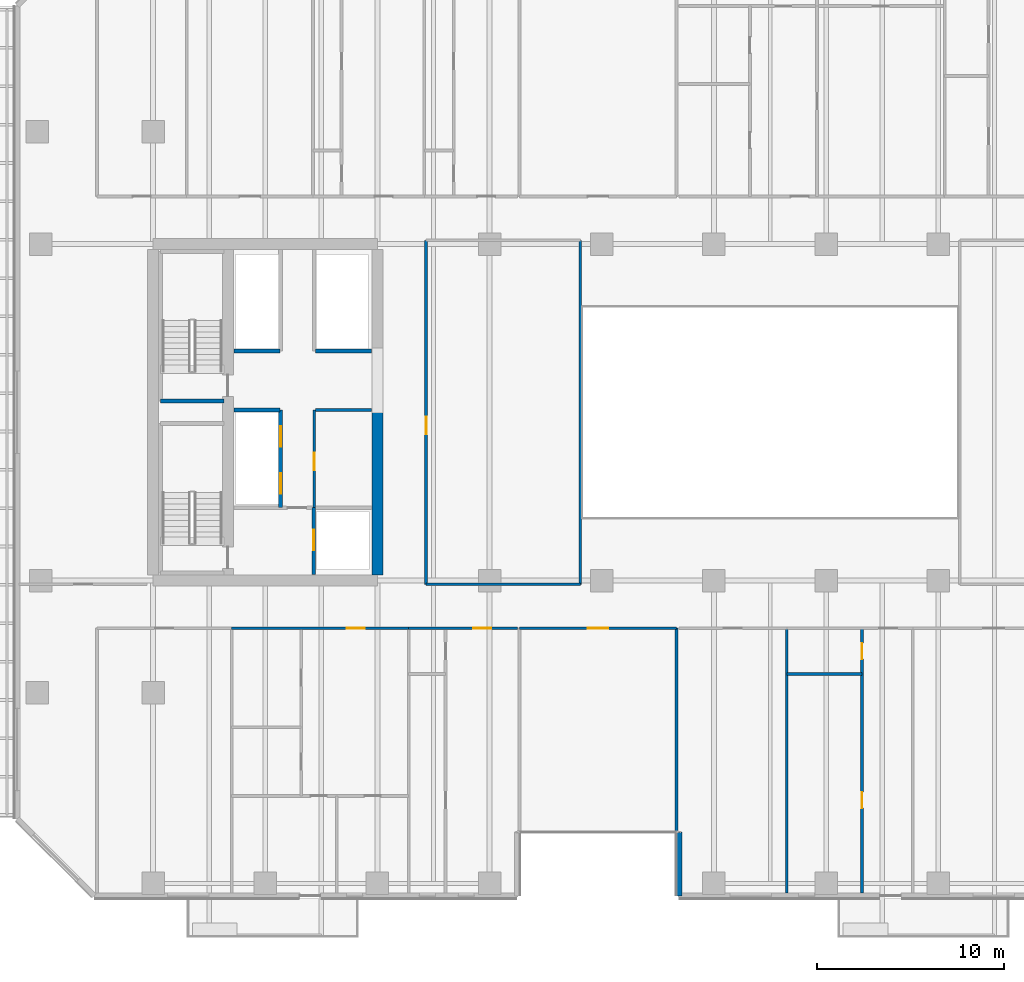
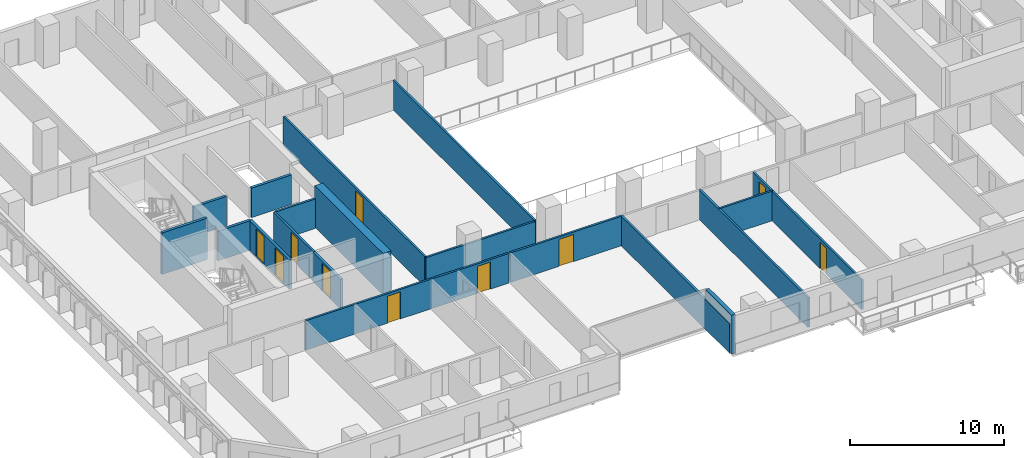
# One storey, part 11 of 26: 20 walls, 10 doors, 10 openings.
"""IFC4 building model written with IfcOpenShell, lengths in metres."""

from ifc_helpers import new_model, si_unit, direction, frame, frame_2d, origin, place, context, subcontext, project, spatial, rectangle, extrude, material, layer, layer_set, type_object, element, fill, save


model = new_model("IFC4")

# Units and contexts
model_context = context("Model", 3, precision=1e-05, world=origin(), true_north=direction((0.0, 1.0)))
body_context = subcontext(model_context, "Body", "Model", "MODEL_VIEW")
ifc_project = project(units=[si_unit("LENGTHUNIT", "METRE"), si_unit("AREAUNIT", "SQUARE_METRE"), si_unit("VOLUMEUNIT", "CUBIC_METRE"), si_unit("PLANEANGLEUNIT", "RADIAN"), si_unit("MASSUNIT", "GRAM", prefix="KILO")], contexts=[model_context])

# Site, building, storey
site_placement = place(None, origin())
site = spatial("IfcSite", under=ifc_project, at=site_placement, CompositionType="ELEMENT")
building_placement = place(site_placement, origin())
building = spatial("IfcBuilding", under=site, at=building_placement, Name="Tanjung Sevakor Pilgrim Tower", CompositionType="ELEMENT")
storey_placement = place(building_placement, frame((0.0, 0.0, 48.840087890625)))
storey = spatial("IfcBuildingStorey", under=building, at=storey_placement, Name="L13", CompositionType="ELEMENT", Elevation=48.840087890625)

# Walls
ifc_material_1 = material(Name="Concrete C60/75", Category="concrete")
ifc_layer_1 = layer(ifc_material_1, 0.60009765625)
ifc_layer_set_1 = layer_set([ifc_layer_1], Name="WALL-CW-600")
wall_type_1 = type_object("IfcWallType", Name="WALL-CW-600", PredefinedType="SHEAR", material=ifc_layer_set_1)
wall_1_placement = place(storey_placement, frame((36.0, 24.89990234375, 0.0), z_axis=(0.0, 0.0, 1.0), x_axis=(0.0, 1.0, 0.0)))
element("IfcWall", 1, at=wall_1_placement, inside=storey, type_object=wall_type_1, Name="L13 W Core Inner Shear Wall South", PredefinedType="SHEAR", context=body_context, shape_type="SweptSolid", body=[
    extrude(rectangle(XDim=8.900146484375, YDim=0.60009765625, at=frame_2d((4.4501953125, 0.0))), origin(), (0.0, 0.0, 1.0), 3.2998046875),
])
ifc_material_2 = material(Name="Concrete C40/50", Category="concrete")
ifc_layer_2 = layer(ifc_material_2, 0.14990234375)
ifc_layer_set_2 = layer_set([ifc_layer_2], Name="WT-COMP-150")
wall_type_2 = type_object("IfcWallType", Name="WT-COMP-150", PredefinedType="SOLIDWALL", material=ifc_layer_set_2)
wall_2_placement = place(storey_placement, frame((32.679931640625, 33.719970703125, 0.0), z_axis=(0.0, 0.0, 1.0), x_axis=(1.0, 0.0, 0.0)))
element("IfcWall", 2, at=wall_2_placement, inside=storey, type_object=wall_type_2, Name="L13 Partition IW-L13-005", PredefinedType="SOLIDWALL", context=body_context, shape_type="SweptSolid", body=[
    extrude(rectangle(XDim=3.0, YDim=0.14990234375, at=frame_2d((1.5, 0.0))), origin(), (0.0, 0.0, 1.0), 2.35009765625),
])

# Wall, opening, door
wall_3_placement = place(storey_placement, frame((32.6201171875, 28.5, 0.0), z_axis=(0.0, 0.0, 1.0), x_axis=(0.0, 1.0, 0.0)))
wall_3 = element("IfcWall", 3, at=wall_3_placement, inside=storey, type_object=wall_type_2, Name="L13 Partition IW-L13-006", PredefinedType="SOLIDWALL", context=body_context, shape_type="SweptSolid", body=[
    extrude(rectangle(XDim=5.219970703125, YDim=0.14990234375, at=frame_2d((2.60986328125, 0.0))), origin(), (0.0, 0.0, 1.0), 2.35009765625),
])
opening_1_placement = place(wall_3_placement, frame((2.0, 0.0, 0.0)))
opening_1 = element("IfcOpeningElement", 4, at=opening_1_placement, cuts=wall_3, Name="Opening ID-FD2", PredefinedType="OPENING", context=body_context, shape_type="SweptSolid", body=[
    extrude(rectangle(XDim=0.949951171875, YDim=2.14990234375, at=frame_2d((0.47509765625, 1.074951171875))), frame((0.0, 0.0849609375, 0.0), z_axis=(0.0, -1.0, 0.0), x_axis=(1.0, 0.0, 0.0)), (0.0, 0.0, 1.0), 0.169921875),
])
ifc_material_3 = material(Name="Fire-Rated Timber", Category="wood")
door_type_1 = type_object("IfcDoorType", Name="DT-FIRE-950", OperationType="NOTDEFINED", PredefinedType="DOOR", material=ifc_material_3)
door_1_placement = place(opening_1_placement, origin())
door_1 = element("IfcDoor", 5, at=door_1_placement, inside=storey, type_object=door_type_1, Name="L13 Accessible WC Door", OperationType="SINGLE_SWING_LEFT", OverallHeight=2.14990234375, OverallWidth=0.949951171875, PredefinedType="DOOR", context=body_context, shape_type="SweptSolid", body=[
    extrude(rectangle(XDim=0.949951171875, YDim=2.14990234375, at=frame_2d((0.47509765625, 1.074951171875))), frame((0.0, 0.02490234375, 0.0), z_axis=(0.0, -1.0, 0.0), x_axis=(1.0, 0.0, 0.0)), (0.0, 0.0, 1.0), 0.050048828125),
])
fill(opening_1, door_1)

# Wall
wall_4_placement = place(storey_placement, frame((38.60009765625, 24.39990234375, 0.0), z_axis=(0.0, 0.0, 1.0), x_axis=(1.0, 0.0, 0.0)))
element("IfcWall", 6, at=wall_4_placement, inside=storey, type_object=wall_type_2, Name="L13 Partition IW-L13-021", PredefinedType="SOLIDWALL", context=body_context, shape_type="SweptSolid", body=[
    extrude(rectangle(XDim=8.25, YDim=0.14990234375, at=frame_2d((4.125, 0.0))), origin(), (0.0, 0.0, 1.0), 2.295166015625),
])

# Wall, opening, door
wall_5_placement = place(storey_placement, frame((38.60009765625, 24.39990234375, 0.0), z_axis=(0.0, 0.0, 1.0), x_axis=(0.0, 1.0, 0.0)))
wall_5 = element("IfcWall", 7, at=wall_5_placement, inside=storey, type_object=wall_type_2, Name="L13 Partition IW-L13-023", PredefinedType="SOLIDWALL", context=body_context, shape_type="SweptSolid", body=[
    extrude(rectangle(XDim=18.400146484375, YDim=0.14990234375, at=frame_2d((9.2001953125, 0.0))), origin(), (0.0, 0.0, 1.0), 2.35009765625),
])
opening_2_placement = place(wall_5_placement, frame((8.02490234375, 0.0, 0.0)))
opening_2 = element("IfcOpeningElement", 8, at=opening_2_placement, cuts=wall_5, Name="Opening ID-RM1", PredefinedType="OPENING", context=body_context, shape_type="SweptSolid", body=[
    extrude(rectangle(XDim=0.949951171875, YDim=2.14990234375, at=frame_2d((0.47509765625, 1.074951171875))), frame((0.0, 0.0849609375, 0.0), z_axis=(0.0, -1.0, 0.0), x_axis=(1.0, 0.0, 0.0)), (0.0, 0.0, 1.0), 0.169921875),
])
ifc_material_4 = material(Name="Hardwood Timber", Category="wood")
door_type_2 = type_object("IfcDoorType", Name="DT-INT-950", OperationType="NOTDEFINED", PredefinedType="DOOR", material=ifc_material_4)
door_2_placement = place(opening_2_placement, origin())
door_2 = element("IfcDoor", 9, at=door_2_placement, inside=storey, type_object=door_type_2, Name="L13 Central West Room Door", OperationType="SINGLE_SWING_LEFT", OverallHeight=2.14990234375, OverallWidth=0.949951171875, PredefinedType="DOOR", context=body_context, shape_type="SweptSolid", body=[
    extrude(rectangle(XDim=0.949951171875, YDim=2.14990234375, at=frame_2d((0.47509765625, 1.074951171875))), frame((0.0, 0.02490234375, 0.0), z_axis=(0.0, -1.0, 0.0), x_axis=(1.0, 0.0, 0.0)), (0.0, 0.0, 1.0), 0.050048828125),
])
fill(opening_2, door_2)

# Wall
wall_6_placement = place(storey_placement, frame((46.85009765625, 24.39990234375, 0.0), z_axis=(0.0, 0.0, 1.0), x_axis=(0.0, 1.0, 0.0)))
element("IfcWall", 10, at=wall_6_placement, inside=storey, type_object=wall_type_2, Name="L13 Partition IW-L13-024", PredefinedType="SOLIDWALL", context=body_context, shape_type="SweptSolid", body=[
    extrude(rectangle(XDim=18.400146484375, YDim=0.14990234375, at=frame_2d((9.2001953125, 0.0))), origin(), (0.0, 0.0, 1.0), 2.35009765625),
])

# Wall, opening, door
wall_7_placement = place(storey_placement, frame((43.60009765625, 22.050048828125, 0.0), z_axis=(0.0, 0.0, 1.0), x_axis=(1.0, 0.0, 0.0)))
wall_7 = element("IfcWall", 11, at=wall_7_placement, inside=storey, type_object=wall_type_2, Name="L13 Partition IW-L13-036", PredefinedType="SOLIDWALL", context=body_context, shape_type="SweptSolid", body=[
    extrude(rectangle(XDim=8.39990234375, YDim=0.14990234375, at=frame_2d((4.199951171875, 0.0))), origin(), (0.0, 0.0, 1.0), 2.35009765625),
])
opening_3_placement = place(wall_7_placement, frame((3.64990234375, 0.0, 0.0)))
opening_3 = element("IfcOpeningElement", 12, at=opening_3_placement, cuts=wall_7, Name="Opening ID-RM2", PredefinedType="OPENING", context=body_context, shape_type="SweptSolid", body=[
    extrude(rectangle(XDim=1.10009765625, YDim=2.14990234375, at=frame_2d((0.550048828125, 1.074951171875))), frame((0.0, 0.0849609375, 0.0), z_axis=(0.0, -1.0, 0.0), x_axis=(1.0, 0.0, 0.0)), (0.0, 0.0, 1.0), 0.169921875),
])
ifc_material_5 = material(Name="Hardwood Timber", Category="wood")
door_type_3 = type_object("IfcDoorType", Name="DT-INT-1100", OperationType="NOTDEFINED", PredefinedType="DOOR", material=ifc_material_5)
door_3_placement = place(opening_3_placement, origin())
door_3 = element("IfcDoor", 13, at=door_3_placement, inside=storey, type_object=door_type_3, Name="L13 South Cleft Communal Lounge Door", OperationType="SINGLE_SWING_RIGHT", OverallHeight=2.14990234375, OverallWidth=1.10009765625, PredefinedType="DOOR", context=body_context, shape_type="SweptSolid", body=[
    extrude(rectangle(XDim=1.10009765625, YDim=2.14990234375, at=frame_2d((0.550048828125, 1.074951171875))), frame((0.0, 0.02490234375, 0.0), z_axis=(0.0, -1.0, 0.0), x_axis=(1.0, 0.0, 0.0)), (0.0, 0.0, 1.0), 0.050048828125),
])
fill(opening_3, door_3)

# Wall
wall_8_placement = place(storey_placement, frame((52.0, 7.8798828125, 0.0), z_axis=(0.0, 0.0, 1.0), x_axis=(0.0, 1.0, 0.0)))
element("IfcWall", 14, at=wall_8_placement, inside=storey, type_object=wall_type_2, Name="L13 Partition IW-L13-038", PredefinedType="SOLIDWALL", context=body_context, shape_type="SweptSolid", body=[
    extrude(rectangle(XDim=14.170166015625, YDim=0.14990234375, at=frame_2d((7.0849609375, 0.0))), origin(), (0.0, 0.0, 1.0), 2.35009765625),
])

# Wall, opening, door
wall_9_placement = place(storey_placement, frame((28.20654296875, 22.050048828125, 0.0), z_axis=(0.0, 0.0, 1.0), x_axis=(1.0, 0.0, 0.0)))
wall_9 = element("IfcWall", 15, at=wall_9_placement, inside=storey, type_object=wall_type_2, Name="L13 Partition IW-L13-050", PredefinedType="SOLIDWALL", context=body_context, shape_type="SweptSolid", body=[
    extrude(rectangle(XDim=9.46533203125, YDim=0.14990234375, at=frame_2d((4.732666015625, 0.0))), origin(), (0.0, 0.0, 1.0), 2.35009765625),
])
opening_4_placement = place(wall_9_placement, frame((6.154296875, 0.0, 0.0)))
opening_4 = element("IfcOpeningElement", 16, at=opening_4_placement, cuts=wall_9, Name="Opening ID-FD2", PredefinedType="OPENING", context=body_context, shape_type="SweptSolid", body=[
    extrude(rectangle(XDim=0.949951171875, YDim=2.14990234375, at=frame_2d((0.47509765625, 1.074951171875))), frame((0.0, 0.0849609375, 0.0), z_axis=(0.0, -1.0, 0.0), x_axis=(1.0, 0.0, 0.0)), (0.0, 0.0, 1.0), 0.169921875),
])
door_4_placement = place(opening_4_placement, origin())
door_4 = element("IfcDoor", 17, at=door_4_placement, inside=storey, type_object=door_type_1, Name="Suite Entrance", OperationType="SINGLE_SWING_LEFT", OverallHeight=2.14990234375, OverallWidth=0.949951171875, PredefinedType="DOOR", context=body_context, shape_type="SweptSolid", body=[
    extrude(rectangle(XDim=0.949951171875, YDim=2.14990234375, at=frame_2d((0.47509765625, 1.074951171875))), frame((0.0, 0.02490234375, 0.0), z_axis=(0.0, -1.0, 0.0), x_axis=(1.0, 0.0, 0.0)), (0.0, 0.0, 1.0), 0.050048828125),
])
fill(opening_4, door_4)

wall_10_placement = place(storey_placement, frame((37.671875, 22.050048828125, 0.0), z_axis=(0.0, 0.0, 1.0), x_axis=(1.0, 0.0, 0.0)))
wall_10 = element("IfcWall", 18, at=wall_10_placement, inside=storey, type_object=wall_type_2, Name="L13 Partition IW-L13-053", PredefinedType="SOLIDWALL", context=body_context, shape_type="SweptSolid", body=[
    extrude(rectangle(XDim=5.80810546875, YDim=0.14990234375, at=frame_2d((2.904052734375, 0.0))), origin(), (0.0, 0.0, 1.0), 2.35009765625),
])
opening_5_placement = place(wall_10_placement, frame((3.45654296875, 0.0, 0.0)))
opening_5 = element("IfcOpeningElement", 19, at=opening_5_placement, cuts=wall_10, Name="Opening ID-FD2", PredefinedType="OPENING", context=body_context, shape_type="SweptSolid", body=[
    extrude(rectangle(XDim=0.949951171875, YDim=2.14990234375, at=frame_2d((0.47509765625, 1.074951171875))), frame((0.0, 0.0849609375, 0.0), z_axis=(0.0, -1.0, 0.0), x_axis=(1.0, 0.0, 0.0)), (0.0, 0.0, 1.0), 0.169921875),
])
door_5_placement = place(opening_5_placement, origin())
door_5 = element("IfcDoor", 20, at=door_5_placement, inside=storey, type_object=door_type_1, Name="Hotel Guestroom Entrance", OperationType="SINGLE_SWING_RIGHT", OverallHeight=2.14990234375, OverallWidth=0.949951171875, PredefinedType="DOOR", context=body_context, shape_type="SweptSolid", body=[
    extrude(rectangle(XDim=0.949951171875, YDim=2.14990234375, at=frame_2d((0.47509765625, 1.074951171875))), frame((0.0, 0.02490234375, 0.0), z_axis=(0.0, -1.0, 0.0), x_axis=(1.0, 0.0, 0.0)), (0.0, 0.0, 1.0), 0.050048828125),
])
fill(opening_5, door_5)

# Walls
wall_11_placement = place(storey_placement, frame((57.895751953125, 7.8798828125, 0.0), z_axis=(0.0, 0.0, 1.0), x_axis=(0.0, 1.0, 0.0)))
element("IfcWall", 21, at=wall_11_placement, inside=storey, type_object=wall_type_2, Name="L13 Partition IW-L13-055", PredefinedType="SOLIDWALL", context=body_context, shape_type="SweptSolid", body=[
    extrude(rectangle(XDim=14.170166015625, YDim=0.14990234375, at=frame_2d((7.0849609375, 0.0))), origin(), (0.0, 0.0, 1.0), 2.35009765625),
])
ifc_material_6 = material(Name="Precast concrete C45/55", Category="concrete")
ifc_layer_3 = layer(ifc_material_6, 0.280029296875)
ifc_layer_set_3 = layer_set([ifc_layer_3], Name="WT-EW-STN2")
wall_type_3 = type_object("IfcWallType", Name="WT-EW-STN2", PredefinedType="SOLIDWALL", material=ifc_layer_set_3)
wall_12_placement = place(storey_placement, frame((52.139892578125, 11.139892578125, 0.0), z_axis=(0.0, 0.0, 1.0), x_axis=(0.0, -1.0, 0.0)))
element("IfcWall", 22, at=wall_12_placement, inside=storey, type_object=wall_type_3, Name="L13 MAIN Exterior Wall 4", PredefinedType="SOLIDWALL", context=body_context, shape_type="SweptSolid", body=[
    extrude(rectangle(XDim=3.39990234375, YDim=0.280029296875, at=frame_2d((1.699951171875, 0.0))), origin(), (0.0, 0.0, 1.0), 3.080078125),
])
ifc_material_7 = material(Name="Concrete C40/50", Category="concrete")
ifc_layer_4 = layer(ifc_material_7, 0.199951171875)
ifc_layer_set_4 = layer_set([ifc_layer_4], Name="WT-FIRE-200")
wall_type_4 = type_object("IfcWallType", Name="WT-FIRE-200", PredefinedType="SOLIDWALL", material=ifc_layer_set_4)
wall_13_placement = place(storey_placement, frame((24.39990234375, 34.199951171875, 0.0), z_axis=(0.0, 0.0, 1.0), x_axis=(1.0, 0.0, 0.0)))
element("IfcWall", 23, at=wall_13_placement, inside=storey, type_object=wall_type_4, Name="L13 TS-W2 Shaft Wall 1", PredefinedType="SOLIDWALL", context=body_context, shape_type="SweptSolid", body=[
    extrude(rectangle(XDim=3.400146484375, YDim=0.199951171875, at=frame_2d((1.7001953125, 0.0))), origin(), (0.0, 0.0, 1.0), 3.2998046875),
])

# Wall, opening, door
ifc_material_8 = material(Name="Concrete C40/50", Category="concrete")
ifc_layer_5 = layer(ifc_material_8, 0.199951171875)
ifc_layer_set_5 = layer_set([ifc_layer_5], Name="WT-FPRT-200")
wall_type_5 = type_object("IfcWallType", Name="WT-FPRT-200", PredefinedType="SOLIDWALL", material=ifc_layer_set_5)
wall_14_placement = place(storey_placement, frame((32.60009765625, 24.919921875, 0.0), z_axis=(0.0, 0.0, 1.0), x_axis=(0.0, 1.0, 0.0)))
wall_14 = element("IfcWall", 24, at=wall_14_placement, inside=storey, type_object=wall_type_5, Name="L13 Partition IW-L13-001", PredefinedType="SOLIDWALL", context=body_context, shape_type="SweptSolid", body=[
    extrude(rectangle(XDim=3.580078125, YDim=0.199951171875, at=frame_2d((1.7900390625, 0.0))), origin(), (0.0, 0.0, 1.0), 2.35009765625),
])
opening_6_placement = place(wall_14_placement, frame((1.300048828125, 0.0, 0.0)))
opening_6 = element("IfcOpeningElement", 25, at=opening_6_placement, cuts=wall_14, Name="Opening LD-1100", PredefinedType="OPENING", context=body_context, shape_type="SweptSolid", body=[
    extrude(rectangle(XDim=1.10009765625, YDim=2.199951171875, at=frame_2d((0.550048828125, 1.10009765625))), frame((0.0, 0.10986328125, 0.0), z_axis=(0.0, -1.0, 0.0), x_axis=(1.0, 0.0, 0.0)), (0.0, 0.0, 1.0), 0.219970703125),
])
ifc_material_9 = material(Name="Brushed Stainless Steel S355J2", Category="steel")
door_type_4 = type_object("IfcDoorType", Name="DT-LIFT-1100", OperationType="SLIDING_TO_LEFT", PredefinedType="DOOR", material=ifc_material_9)
door_6_placement = place(opening_6_placement, origin())
door_6 = element("IfcDoor", 26, at=door_6_placement, inside=storey, type_object=door_type_4, Name="LD-FL-W", OperationType="SLIDING_TO_LEFT", OverallHeight=2.199951171875, OverallWidth=1.10009765625, PredefinedType="DOOR", context=body_context, shape_type="SweptSolid", body=[
    extrude(rectangle(XDim=1.10009765625, YDim=2.199951171875, at=frame_2d((0.550048828125, 1.10009765625))), frame((0.0, 0.02490234375, 0.0), z_axis=(0.0, -1.0, 0.0), x_axis=(1.0, 0.0, 0.0)), (0.0, 0.0, 1.0), 0.050048828125),
])
fill(opening_6, door_6)

# Wall
wall_15_placement = place(storey_placement, frame((28.320068359375, 33.719970703125, 0.0), z_axis=(0.0, 0.0, 1.0), x_axis=(1.0, 0.0, 0.0)))
element("IfcWall", 27, at=wall_15_placement, inside=storey, type_object=wall_type_5, Name="L13 Partition IW-L13-003", PredefinedType="SOLIDWALL", context=body_context, shape_type="SweptSolid", body=[
    extrude(rectangle(XDim=2.47998046875, YDim=0.199951171875, at=frame_2d((1.239990234375, 0.0))), origin(), (0.0, 0.0, 1.0), 2.35009765625),
])

# Wall, openings, doors
wall_16_placement = place(storey_placement, frame((30.820068359375, 28.5, 0.0), z_axis=(0.0, 0.0, 1.0), x_axis=(0.0, 1.0, 0.0)))
wall_16 = element("IfcWall", 28, at=wall_16_placement, inside=storey, type_object=wall_type_5, Name="L13 Partition IW-L13-004", PredefinedType="SOLIDWALL", context=body_context, shape_type="SweptSolid", body=[
    extrude(rectangle(XDim=5.219970703125, YDim=0.199951171875, at=frame_2d((2.60986328125, 0.0))), origin(), (0.0, 0.0, 1.0), 2.35009765625),
])
opening_7_placement = place(wall_16_placement, frame((0.75, 0.0, 0.0)))
opening_7 = element("IfcOpeningElement", 29, at=opening_7_placement, cuts=wall_16, Name="Opening LD-1100", PredefinedType="OPENING", context=body_context, shape_type="SweptSolid", body=[
    extrude(rectangle(XDim=1.10009765625, YDim=2.199951171875, at=frame_2d((0.550048828125, 1.10009765625))), frame((0.0, 0.10986328125, 0.0), z_axis=(0.0, -1.0, 0.0), x_axis=(1.0, 0.0, 0.0)), (0.0, 0.0, 1.0), 0.219970703125),
])
opening_8_placement = place(wall_16_placement, frame((3.25, 0.0, 0.0)))
opening_8 = element("IfcOpeningElement", 30, at=opening_8_placement, cuts=wall_16, Name="Opening LD-1100", PredefinedType="OPENING", context=body_context, shape_type="SweptSolid", body=[
    extrude(rectangle(XDim=1.10009765625, YDim=2.199951171875, at=frame_2d((0.550048828125, 1.10009765625))), frame((0.0, 0.10986328125, 0.0), z_axis=(0.0, -1.0, 0.0), x_axis=(1.0, 0.0, 0.0)), (0.0, 0.0, 1.0), 0.219970703125),
])
door_7_placement = place(opening_7_placement, origin())
door_7 = element("IfcDoor", 31, at=door_7_placement, inside=storey, type_object=door_type_4, Name="LD-PLL1-W", OperationType="SLIDING_TO_LEFT", OverallHeight=2.199951171875, OverallWidth=1.10009765625, PredefinedType="DOOR", context=body_context, shape_type="SweptSolid", body=[
    extrude(rectangle(XDim=1.10009765625, YDim=2.199951171875, at=frame_2d((0.550048828125, 1.10009765625))), frame((0.0, 0.02490234375, 0.0), z_axis=(0.0, -1.0, 0.0), x_axis=(1.0, 0.0, 0.0)), (0.0, 0.0, 1.0), 0.050048828125),
])
fill(opening_7, door_7)
door_8_placement = place(opening_8_placement, origin())
door_8 = element("IfcDoor", 32, at=door_8_placement, inside=storey, type_object=door_type_4, Name="LD-PLL2-W", OperationType="SLIDING_TO_RIGHT", OverallHeight=2.199951171875, OverallWidth=1.10009765625, PredefinedType="DOOR", context=body_context, shape_type="SweptSolid", body=[
    extrude(rectangle(XDim=1.10009765625, YDim=2.199951171875, at=frame_2d((0.550048828125, 1.10009765625))), frame((0.0, 0.02490234375, 0.0), z_axis=(0.0, -1.0, 0.0), x_axis=(1.0, 0.0, 0.0)), (0.0, 0.0, 1.0), 0.050048828125),
])
fill(opening_8, door_8)

# Walls
wall_17_placement = place(storey_placement, frame((28.320068359375, 36.8798828125, 0.0), z_axis=(0.0, 0.0, 1.0), x_axis=(1.0, 0.0, 0.0)))
element("IfcWall", 33, at=wall_17_placement, inside=storey, type_object=wall_type_5, Name="L13 Partition IW-L13-007", PredefinedType="SOLIDWALL", context=body_context, shape_type="SweptSolid", body=[
    extrude(rectangle(XDim=2.47998046875, YDim=0.199951171875, at=frame_2d((1.239990234375, 0.0))), origin(), (0.0, 0.0, 1.0), 2.35009765625),
])
wall_18_placement = place(storey_placement, frame((32.679931640625, 36.8798828125, 0.0), z_axis=(0.0, 0.0, 1.0), x_axis=(1.0, 0.0, 0.0)))
element("IfcWall", 34, at=wall_18_placement, inside=storey, type_object=wall_type_5, Name="L13 Partition IW-L13-009", PredefinedType="SOLIDWALL", context=body_context, shape_type="SweptSolid", body=[
    extrude(rectangle(XDim=3.0, YDim=0.199951171875, at=frame_2d((1.5, 0.0))), origin(), (0.0, 0.0, 1.0), 2.35009765625),
])
ifc_material_10 = material(Name="Gypsum Board Partition", Category="gypsum board")
ifc_layer_6 = layer(ifc_material_10, 0.14990234375)
ifc_layer_set_6 = layer_set([ifc_layer_6], Name="WT-PART-150")
wall_type_6 = type_object("IfcWallType", Name="WT-PART-150", PredefinedType="PARTITIONING", material=ifc_layer_set_6)
wall_19_placement = place(storey_placement, frame((57.895751953125, 19.60009765625, 0.0), z_axis=(0.0, 0.0, 1.0), x_axis=(1.0, 0.0, 0.0)))
element("IfcWall", 35, at=wall_19_placement, inside=storey, type_object=wall_type_6, Name="L13 Partition IW-L13-058", PredefinedType="PARTITIONING", context=body_context, shape_type="SweptSolid", body=[
    extrude(rectangle(XDim=4.024169921875, YDim=0.14990234375, at=frame_2d((2.01220703125, 0.0))), origin(), (0.0, 0.0, 1.0), 2.35009765625),
])

# Wall, openings, doors
wall_20_placement = place(storey_placement, frame((61.919921875, 7.8798828125, 0.0), z_axis=(0.0, 0.0, 1.0), x_axis=(0.0, 1.0, 0.0)))
wall_20 = element("IfcWall", 36, at=wall_20_placement, inside=storey, type_object=wall_type_6, Name="L13 Partition IW-L13-059", PredefinedType="PARTITIONING", context=body_context, shape_type="SweptSolid", body=[
    extrude(rectangle(XDim=14.170166015625, YDim=0.14990234375, at=frame_2d((7.0849609375, 0.0))), origin(), (0.0, 0.0, 1.0), 2.35009765625),
])
opening_9_placement = place(wall_20_placement, frame((4.548095703125, 0.0, 0.0)))
opening_9 = element("IfcOpeningElement", 37, at=opening_9_placement, cuts=wall_20, Name="Opening ID-WC1", PredefinedType="OPENING", context=body_context, shape_type="SweptSolid", body=[
    extrude(rectangle(XDim=0.85009765625, YDim=2.10009765625, at=frame_2d((0.425048828125, 1.050048828125))), frame((0.0, 0.0849609375, 0.0), z_axis=(0.0, -1.0, 0.0), x_axis=(1.0, 0.0, 0.0)), (0.0, 0.0, 1.0), 0.169921875),
])
opening_10_placement = place(wall_20_placement, frame((12.52001953125, 0.0, 0.0)))
opening_10 = element("IfcOpeningElement", 38, at=opening_10_placement, cuts=wall_20, Name="Opening ID-WC1", PredefinedType="OPENING", context=body_context, shape_type="SweptSolid", body=[
    extrude(rectangle(XDim=0.85009765625, YDim=2.10009765625, at=frame_2d((0.425048828125, 1.050048828125))), frame((0.0, 0.0849609375, 0.0), z_axis=(0.0, -1.0, 0.0), x_axis=(1.0, 0.0, 0.0)), (0.0, 0.0, 1.0), 0.169921875),
])
ifc_material_11 = material(Name="Moisture-Resistant Timber", Category="wood")
door_type_5 = type_object("IfcDoorType", Name="DT-INT-850", OperationType="NOTDEFINED", PredefinedType="DOOR", material=ifc_material_11)
door_9_placement = place(opening_9_placement, origin())
door_9 = element("IfcDoor", 39, at=door_9_placement, inside=storey, type_object=door_type_5, Name="Study Nook Door", OperationType="SINGLE_SWING_RIGHT", OverallHeight=2.10009765625, OverallWidth=0.85009765625, PredefinedType="DOOR", context=body_context, shape_type="SweptSolid", body=[
    extrude(rectangle(XDim=0.85009765625, YDim=2.10009765625, at=frame_2d((0.425048828125, 1.050048828125))), frame((0.0, 0.02490234375, 0.0), z_axis=(0.0, -1.0, 0.0), x_axis=(1.0, 0.0, 0.0)), (0.0, 0.0, 1.0), 0.050048828125),
])
fill(opening_9, door_9)
door_10_placement = place(opening_10_placement, origin())
door_10 = element("IfcDoor", 40, at=door_10_placement, inside=storey, type_object=door_type_5, Name="Bathroom Door", OperationType="SINGLE_SWING_LEFT", OverallHeight=2.10009765625, OverallWidth=0.85009765625, PredefinedType="DOOR", context=body_context, shape_type="SweptSolid", body=[
    extrude(rectangle(XDim=0.85009765625, YDim=2.10009765625, at=frame_2d((0.425048828125, 1.050048828125))), frame((0.0, 0.02490234375, 0.0), z_axis=(0.0, -1.0, 0.0), x_axis=(1.0, 0.0, 0.0)), (0.0, 0.0, 1.0), 0.050048828125),
])
fill(opening_10, door_10)

save(model, "model.ifc")
